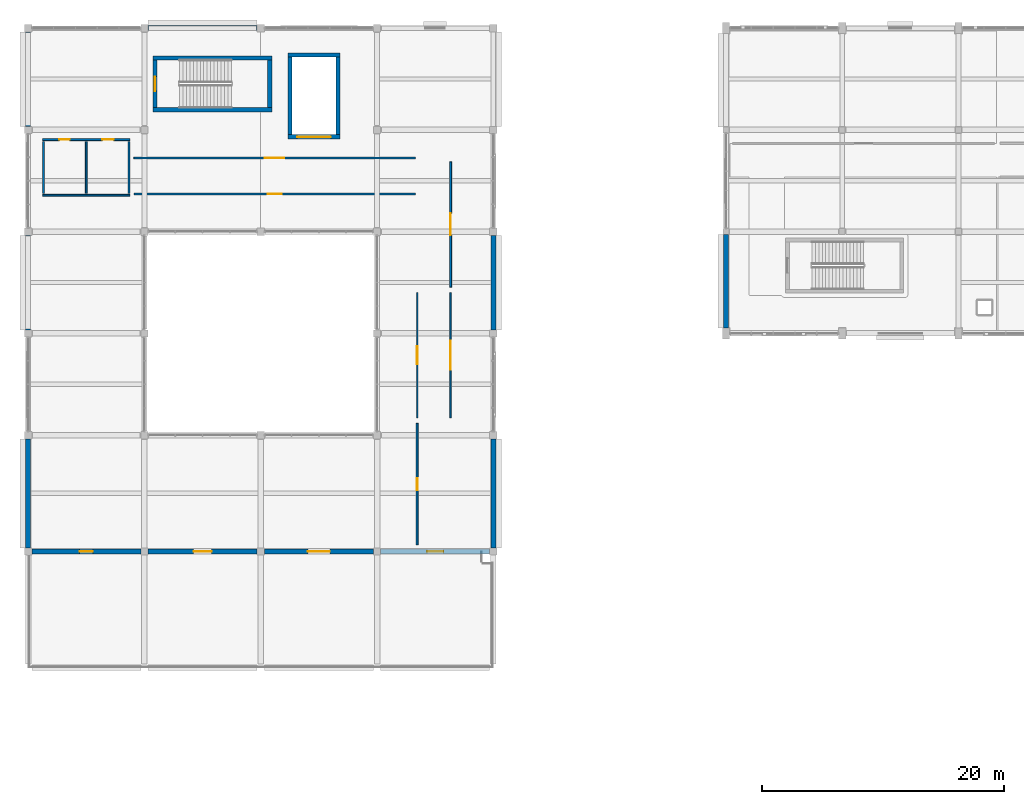
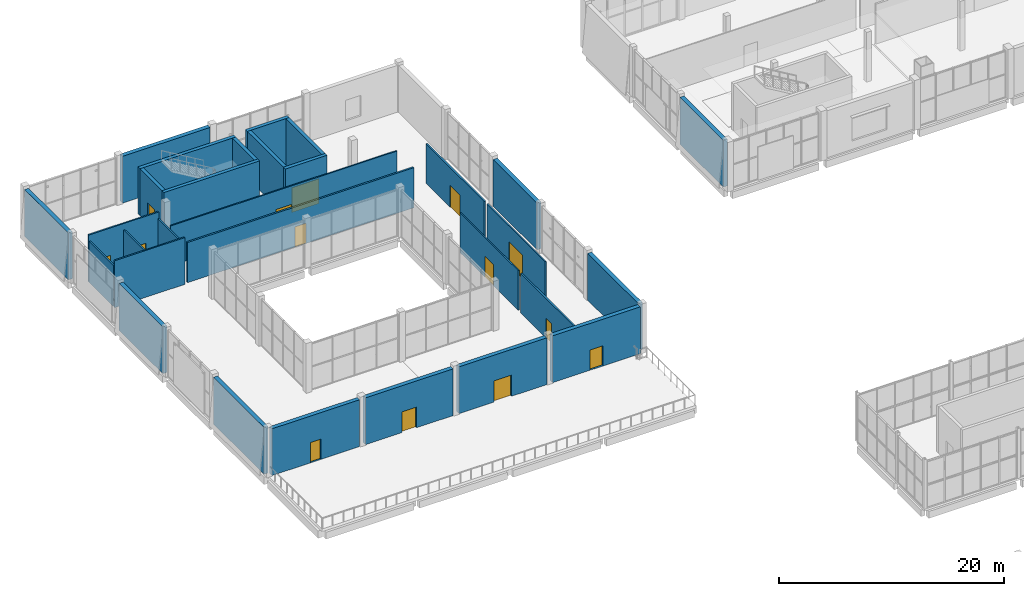
# One storey, part 56 of 83: 30 walls, 14 doors, 14 openings.
"""IFC4 building model written with IfcOpenShell, lengths in metres."""

from ifc_helpers import new_model, si_unit, direction, frame, frame_2d, origin, place, context, subcontext, project, spatial, rectangle, extrude, material, layer, layer_set, type_object, element, fill, save


model = new_model("IFC4")

# Units and contexts
model_context = context("Model", 3, precision=1e-05, world=origin(), true_north=direction((0.0, 1.0)))
body_context = subcontext(model_context, "Body", "Model", "MODEL_VIEW")
ifc_project = project(units=[si_unit("LENGTHUNIT", "METRE"), si_unit("AREAUNIT", "SQUARE_METRE"), si_unit("VOLUMEUNIT", "CUBIC_METRE"), si_unit("PLANEANGLEUNIT", "RADIAN"), si_unit("MASSUNIT", "GRAM", prefix="KILO")], contexts=[model_context])

# Site, building, storey
site_placement = place(None, origin())
site = spatial("IfcSite", under=ifc_project, at=site_placement, CompositionType="ELEMENT")
building_placement = place(site_placement, origin())
building = spatial("IfcBuilding", under=site, at=building_placement, Name="Shalvenor Court Art Gallery", CompositionType="ELEMENT")
storey_placement = place(building_placement, frame((0.0, 0.0, 6.0)))
storey = spatial("IfcBuildingStorey", under=building, at=storey_placement, Name="L01", CompositionType="ELEMENT", Elevation=6.0)

# Walls
ifc_material_1 = material(Name="Concrete C40/50", Category="concrete")
ifc_layer_1 = layer(ifc_material_1, 0.35009765625, Name="Concrete C40/50")
ifc_layer_set_1 = layer_set([ifc_layer_1], Name="Concrete C40/50")
wall_type_1 = type_object("IfcWallType", Name="CW-W1", PredefinedType="SHEAR", material=ifc_layer_set_1)
wall_1_placement = place(storey_placement, frame((10.2880859375, 119.93701171875, 0.0), z_axis=(0.0, 0.0, 1.0), x_axis=(1.0, 0.0, 0.0)))
element("IfcWall", 1, at=wall_1_placement, inside=storey, type_object=wall_type_1, Name="L01 C6 Stair Core Shear Wall N", PredefinedType="SHEAR", context=body_context, shape_type="SweptSolid", body=[
    extrude(rectangle(XDim=9.823974609375, YDim=0.35009765625, at=frame_2d((4.912109375, 0.0))), origin(), (0.0, 0.0, 1.0), 5.080078125),
])
wall_2_placement = place(storey_placement, frame((19.93701171875, 119.761962890625, 0.0), z_axis=(0.0, 0.0, 1.0), x_axis=(0.0, -1.0, 0.0)))
element("IfcWall", 2, at=wall_2_placement, inside=storey, type_object=wall_type_1, Name="L01 C6 Stair Core Shear Wall E", PredefinedType="SHEAR", context=body_context, shape_type="SweptSolid", body=[
    extrude(rectangle(XDim=3.924072265625, YDim=0.35009765625, at=frame_2d((1.9619140625, 0.0))), origin(), (0.0, 0.0, 1.0), 5.080078125),
])
wall_3_placement = place(storey_placement, frame((20.112060546875, 115.6630859375, 0.0), z_axis=(0.0, 0.0, 1.0), x_axis=(-1.0, 0.0, 0.0)))
element("IfcWall", 3, at=wall_3_placement, inside=storey, type_object=wall_type_1, Name="L01 C6 Stair Core Shear Wall S", PredefinedType="SHEAR", context=body_context, shape_type="SweptSolid", body=[
    extrude(rectangle(XDim=9.823974609375, YDim=0.35009765625, at=frame_2d((4.912109375, 0.0))), origin(), (0.0, 0.0, 1.0), 5.080078125),
])

# Wall, opening, door
wall_4_placement = place(storey_placement, frame((10.462890625, 115.837890625, 0.0), z_axis=(0.0, 0.0, 1.0), x_axis=(0.0, 1.0, 0.0)))
wall_4 = element("IfcWall", 4, at=wall_4_placement, inside=storey, type_object=wall_type_1, Name="L01 C6 Stair Core Shear Wall W", PredefinedType="SHEAR", context=body_context, shape_type="SweptSolid", body=[
    extrude(rectangle(XDim=3.924072265625, YDim=0.35009765625, at=frame_2d((1.9619140625, 0.0))), origin(), (0.0, 0.0, 1.0), 5.080078125),
])
opening_1_placement = place(wall_4_placement, frame((1.362060546875, 0.0, 0.0)))
opening_1 = element("IfcOpeningElement", 5, at=opening_1_placement, cuts=wall_4, Name="Opening FD-01", PredefinedType="OPENING", context=body_context, shape_type="SweptSolid", body=[
    extrude(rectangle(XDim=1.199951171875, YDim=2.199951171875, at=frame_2d((0.60009765625, 1.10009765625))), frame((0.0, 0.18505859375, 0.0), z_axis=(0.0, -1.0, 0.0), x_axis=(1.0, 0.0, 0.0)), (0.0, 0.0, 1.0), 0.3701171875),
])
ifc_material_2 = material(Name="Fire-rated steel stair doorset", Category="steel")
door_type_1 = type_object("IfcDoorType", Name="FD-01", OperationType="NOTDEFINED", PredefinedType="DOOR", material=ifc_material_2)
door_1_placement = place(opening_1_placement, origin())
door_1 = element("IfcDoor", 6, at=door_1_placement, inside=storey, type_object=door_type_1, Name="DR-ST-L01-C6 L01 ST-06 Fire Stair Door", OperationType="SINGLE_SWING_LEFT", OverallHeight=2.199951171875, OverallWidth=1.199951171875, PredefinedType="DOOR", context=body_context, shape_type="SweptSolid", body=[
    extrude(rectangle(XDim=1.199951171875, YDim=2.199951171875, at=frame_2d((0.60009765625, 1.10009765625))), frame((0.0, 0.02490234375, 0.0), z_axis=(0.0, -1.0, 0.0), x_axis=(1.0, 0.0, 0.0)), (0.0, 0.0, 1.0), 0.050048828125),
])
fill(opening_1, door_1)

# Walls
wall_5_placement = place(storey_placement, frame((21.449951171875, 120.175048828125, 0.0), z_axis=(0.0, 0.0, 1.0), x_axis=(1.0, 0.0, 0.0)))
element("IfcWall", 7, at=wall_5_placement, inside=storey, type_object=wall_type_1, Name="L01 GL-01 Lift Shaft Wall N", PredefinedType="SHEAR", context=body_context, shape_type="SweptSolid", body=[
    extrude(rectangle(XDim=4.300048828125, YDim=0.35009765625, at=frame_2d((2.14990234375, 0.0))), origin(), (0.0, 0.0, 1.0), 5.080078125),
])
wall_6_placement = place(storey_placement, frame((25.574951171875, 120.0, 0.0), z_axis=(0.0, 0.0, 1.0), x_axis=(0.0, -1.0, 0.0)))
element("IfcWall", 8, at=wall_6_placement, inside=storey, type_object=wall_type_1, Name="L01 GL-01 Lift Shaft Wall E", PredefinedType="SHEAR", context=body_context, shape_type="SweptSolid", body=[
    extrude(rectangle(XDim=6.39990234375, YDim=0.35009765625, at=frame_2d((3.199951171875, 0.0))), origin(), (0.0, 0.0, 1.0), 5.080078125),
])

# Wall, opening, door
wall_7_placement = place(storey_placement, frame((25.75, 113.425048828125, 0.0), z_axis=(0.0, 0.0, 1.0), x_axis=(-1.0, 0.0, 0.0)))
wall_7 = element("IfcWall", 9, at=wall_7_placement, inside=storey, type_object=wall_type_1, Name="L01 GL-01 Lift Shaft Wall S", PredefinedType="SHEAR", context=body_context, shape_type="SweptSolid", body=[
    extrude(rectangle(XDim=4.300048828125, YDim=0.35009765625, at=frame_2d((2.14990234375, 0.0))), origin(), (0.0, 0.0, 1.0), 5.080078125),
])
opening_2_placement = place(wall_7_placement, frame((0.75, 0.0, 0.0)))
opening_2 = element("IfcOpeningElement", 10, at=opening_2_placement, cuts=wall_7, Name="Opening LD-03", PredefinedType="OPENING", context=body_context, shape_type="SweptSolid", body=[
    extrude(rectangle(XDim=2.800048828125, YDim=2.699951171875, at=frame_2d((1.39990234375, 1.35009765625))), frame((0.0, 0.18505859375, 0.0), z_axis=(0.0, -1.0, 0.0), x_axis=(1.0, 0.0, 0.0)), (0.0, 0.0, 1.0), 0.3701171875),
])
ifc_material_3 = material(Name="Heavy-duty clean-art freight lift sliding landing door", Category="steel")
door_type_2 = type_object("IfcDoorType", Name="LD-03", OperationType="NOTDEFINED", PredefinedType="DOOR", material=ifc_material_3)
door_2_placement = place(opening_2_placement, origin())
door_2 = element("IfcDoor", 11, at=door_2_placement, inside=storey, type_object=door_type_2, Name="DR-LD-L01-GL-01 L01 GL-01 Lift Landing Sliding Door", OperationType="DOUBLE_DOOR_SLIDING", OverallHeight=2.699951171875, OverallWidth=2.800048828125, PredefinedType="DOOR", context=body_context, shape_type="SweptSolid", body=[
    extrude(rectangle(XDim=2.800048828125, YDim=2.699951171875, at=frame_2d((1.39990234375, 1.35009765625))), frame((0.0, 0.02490234375, 0.0), z_axis=(0.0, -1.0, 0.0), x_axis=(1.0, 0.0, 0.0)), (0.0, 0.0, 1.0), 0.050048828125),
])
fill(opening_2, door_2)

# Walls
wall_8_placement = place(storey_placement, frame((21.625, 113.60009765625, 0.0), z_axis=(0.0, 0.0, 1.0), x_axis=(0.0, 1.0, 0.0)))
element("IfcWall", 12, at=wall_8_placement, inside=storey, type_object=wall_type_1, Name="L01 GL-01 Lift Shaft Wall W", PredefinedType="SHEAR", context=body_context, shape_type="SweptSolid", body=[
    extrude(rectangle(XDim=6.39990234375, YDim=0.35009765625, at=frame_2d((3.199951171875, 0.0))), origin(), (0.0, 0.0, 1.0), 5.080078125),
])
ifc_material_4 = material(Name="Concrete C40/50", Category="concrete")
ifc_layer_2 = layer(ifc_material_4, 0.419921875, Name="Concrete C40/50")
ifc_layer_set_2 = layer_set([ifc_layer_2], Name="Concrete C40/50")
wall_type_2 = type_object("IfcWallType", Name="EW-02", PredefinedType="SOLIDWALL", material=ifc_layer_set_2)
wall_9_placement = place(storey_placement, frame((57.60009765625, 97.64990234375, 0.0), z_axis=(0.0, 0.0, 1.0), x_axis=(0.0, 1.0, 0.0)))
element("IfcWall", 13, at=wall_9_placement, inside=storey, type_object=wall_type_2, Name="L01 V2 Exterior Wall WL-L01-0140", PredefinedType="SOLIDWALL", context=body_context, shape_type="SweptSolid", body=[
    extrude(rectangle(XDim=7.7001953125, YDim=0.419921875, at=frame_2d((3.85009765625, 0.0))), origin(), (0.0, 0.0, 1.0), 5.080078125),
])
wall_10_placement = place(storey_placement, frame((9.89990234375, 122.39990234375, 0.0), z_axis=(0.0, 0.0, 1.0), x_axis=(1.0, 0.0, 0.0)))
element("IfcWall", 14, at=wall_10_placement, inside=storey, type_object=wall_type_2, Name="L01 V5 Exterior Wall WL-L01-0293", PredefinedType="SOLIDWALL", context=body_context, shape_type="SweptSolid", body=[
    extrude(rectangle(XDim=9.0, YDim=0.419921875, at=frame_2d((4.5, 0.0))), origin(), (0.0, 0.0, 1.0), 5.080078125),
])
wall_11_placement = place(storey_placement, frame((38.39990234375, 105.300048828125, 0.0), z_axis=(0.0, 0.0, 1.0), x_axis=(0.0, -1.0, 0.0)))
element("IfcWall", 15, at=wall_11_placement, inside=storey, type_object=wall_type_2, Name="L01 V5 Exterior Wall WL-L01-0296", PredefinedType="SOLIDWALL", context=body_context, shape_type="SweptSolid", body=[
    extrude(rectangle(XDim=7.800048828125, YDim=0.419921875, at=frame_2d((3.89990234375, 0.0))), origin(), (0.0, 0.0, 1.0), 5.080078125),
])
wall_12_placement = place(storey_placement, frame((38.39990234375, 88.5, 0.0), z_axis=(0.0, 0.0, 1.0), x_axis=(0.0, -1.0, 0.0)))
element("IfcWall", 16, at=wall_12_placement, inside=storey, type_object=wall_type_2, Name="L01 V5 Exterior Wall WL-L01-0297", PredefinedType="SOLIDWALL", context=body_context, shape_type="SweptSolid", body=[
    extrude(rectangle(XDim=9.0, YDim=0.419921875, at=frame_2d((4.5, 0.0))), origin(), (0.0, 0.0, 1.0), 5.080078125),
])

# Wall, opening, door
wall_13_placement = place(storey_placement, frame((38.10009765625, 79.199951171875, 0.0), z_axis=(0.0, 0.0, 1.0), x_axis=(-1.0, 0.0, 0.0)))
wall_13 = element("IfcWall", 17, at=wall_13_placement, inside=storey, type_object=wall_type_2, Name="L01 V5 Exterior Wall WL-L01-0298", PredefinedType="SOLIDWALL", context=body_context, shape_type="SweptSolid", body=[
    extrude(rectangle(XDim=9.0, YDim=0.419921875, at=frame_2d((4.5, 0.0))), origin(), (0.0, 0.0, 1.0), 5.080078125),
])
opening_3_placement = place(wall_13_placement, frame((3.824951171875, 0.0, 0.0)))
opening_3 = element("IfcOpeningElement", 18, at=opening_3_placement, cuts=wall_13, Name="Opening TD-06", PredefinedType="OPENING", context=body_context, shape_type="SweptSolid", body=[
    extrude(rectangle(XDim=1.35009765625, YDim=2.199951171875, at=frame_2d((0.675048828125, 1.10009765625))), frame((0.0, 0.219970703125, 0.0), z_axis=(0.0, -1.0, 0.0), x_axis=(1.0, 0.0, 0.0)), (0.0, 0.0, 1.0), 0.43994140625),
])
ifc_material_5 = material(Name="Anodised aluminium glazed terrace door", Category="aluminium")
door_type_3 = type_object("IfcDoorType", Name="TD-06", OperationType="NOTDEFINED", PredefinedType="DOOR", material=ifc_material_5)
door_3_placement = place(opening_3_placement, origin())
door_3 = element("IfcDoor", 19, at=door_3_placement, inside=storey, type_object=door_type_3, Name="DR-TR-048 L01 Gallery Terrace Door", OperationType="SINGLE_SWING_RIGHT", OverallHeight=2.199951171875, OverallWidth=1.35009765625, PredefinedType="DOOR", context=body_context, shape_type="SweptSolid", body=[
    extrude(rectangle(XDim=1.35009765625, YDim=2.199951171875, at=frame_2d((0.675048828125, 1.10009765625))), frame((0.0, 0.02490234375, 0.0), z_axis=(0.0, -1.0, 0.0), x_axis=(1.0, 0.0, 0.0)), (0.0, 0.0, 1.0), 0.050048828125),
])
fill(opening_3, door_3)

wall_14_placement = place(storey_placement, frame((28.5, 79.199951171875, 0.0), z_axis=(0.0, 0.0, 1.0), x_axis=(-1.0, 0.0, 0.0)))
wall_14 = element("IfcWall", 20, at=wall_14_placement, inside=storey, type_object=wall_type_2, Name="L01 V5 Exterior Wall WL-L01-0299", PredefinedType="SOLIDWALL", context=body_context, shape_type="SweptSolid", body=[
    extrude(rectangle(XDim=9.0, YDim=0.419921875, at=frame_2d((4.5, 0.0))), origin(), (0.0, 0.0, 1.0), 5.080078125),
])
opening_4_placement = place(wall_14_placement, frame((3.60009765625, 0.0, 0.0)))
opening_4 = element("IfcOpeningElement", 21, at=opening_4_placement, cuts=wall_14, Name="Opening TD-01", PredefinedType="OPENING", context=body_context, shape_type="SweptSolid", body=[
    extrude(rectangle(XDim=1.800048828125, YDim=2.300048828125, at=frame_2d((0.89990234375, 1.14990234375))), frame((0.0, 0.219970703125, 0.0), z_axis=(0.0, -1.0, 0.0), x_axis=(1.0, 0.0, 0.0)), (0.0, 0.0, 1.0), 0.43994140625),
])
ifc_material_6 = material(Name="Anodised aluminium glazed terrace door", Category="aluminium")
door_type_4 = type_object("IfcDoorType", Name="TD-01", OperationType="NOTDEFINED", PredefinedType="DOOR", material=ifc_material_6)
door_4_placement = place(opening_4_placement, origin())
door_4 = element("IfcDoor", 22, at=door_4_placement, inside=storey, type_object=door_type_4, Name="DR-TR-049 L01 Gallery Terrace Door", OperationType="DOUBLE_DOOR_SINGLE_SWING", OverallHeight=2.300048828125, OverallWidth=1.800048828125, PredefinedType="DOOR", context=body_context, shape_type="SweptSolid", body=[
    extrude(rectangle(XDim=1.800048828125, YDim=2.300048828125, at=frame_2d((0.89990234375, 1.14990234375))), frame((0.0, 0.02490234375, 0.0), z_axis=(0.0, -1.0, 0.0), x_axis=(1.0, 0.0, 0.0)), (0.0, 0.0, 1.0), 0.050048828125),
])
fill(opening_4, door_4)

wall_15_placement = place(storey_placement, frame((18.89990234375, 79.199951171875, 0.0), z_axis=(0.0, 0.0, 1.0), x_axis=(-1.0, 0.0, 0.0)))
wall_15 = element("IfcWall", 23, at=wall_15_placement, inside=storey, type_object=wall_type_2, Name="L01 V5 Exterior Wall WL-L01-0300", PredefinedType="SOLIDWALL", context=body_context, shape_type="SweptSolid", body=[
    extrude(rectangle(XDim=9.0, YDim=0.419921875, at=frame_2d((4.5, 0.0))), origin(), (0.0, 0.0, 1.0), 5.080078125),
])
opening_5_placement = place(wall_15_placement, frame((3.75, 0.0, 0.0)))
opening_5 = element("IfcOpeningElement", 24, at=opening_5_placement, cuts=wall_15, Name="Opening TD-02", PredefinedType="OPENING", context=body_context, shape_type="SweptSolid", body=[
    extrude(rectangle(XDim=1.5, YDim=2.25, at=frame_2d((0.75, 1.125))), frame((0.0, 0.219970703125, 0.0), z_axis=(0.0, -1.0, 0.0), x_axis=(1.0, 0.0, 0.0)), (0.0, 0.0, 1.0), 0.43994140625),
])
ifc_material_7 = material(Name="Anodised aluminium glazed terrace door", Category="aluminium")
door_type_5 = type_object("IfcDoorType", Name="TD-02", OperationType="NOTDEFINED", PredefinedType="DOOR", material=ifc_material_7)
door_5_placement = place(opening_5_placement, origin())
door_5 = element("IfcDoor", 25, at=door_5_placement, inside=storey, type_object=door_type_5, Name="DR-TR-050 L01 Gallery Terrace Door", OperationType="DOUBLE_DOOR_SINGLE_SWING", OverallHeight=2.25, OverallWidth=1.5, PredefinedType="DOOR", context=body_context, shape_type="SweptSolid", body=[
    extrude(rectangle(XDim=1.5, YDim=2.25, at=frame_2d((0.75, 1.125))), frame((0.0, 0.02490234375, 0.0), z_axis=(0.0, -1.0, 0.0), x_axis=(1.0, 0.0, 0.0)), (0.0, 0.0, 1.0), 0.050048828125),
])
fill(opening_5, door_5)

wall_16_placement = place(storey_placement, frame((9.300048828125, 79.199951171875, 0.0), z_axis=(0.0, 0.0, 1.0), x_axis=(-1.0, 0.0, 0.0)))
wall_16 = element("IfcWall", 26, at=wall_16_placement, inside=storey, type_object=wall_type_2, Name="L01 V5 Exterior Wall WL-L01-0301", PredefinedType="SOLIDWALL", context=body_context, shape_type="SweptSolid", body=[
    extrude(rectangle(XDim=9.0, YDim=0.419921875, at=frame_2d((4.5, 0.0))), origin(), (0.0, 0.0, 1.0), 5.080078125),
])
opening_6_placement = place(wall_16_placement, frame((3.949951171875, 0.0, 0.0)))
opening_6 = element("IfcOpeningElement", 27, at=opening_6_placement, cuts=wall_16, Name="Opening TD-03", PredefinedType="OPENING", context=body_context, shape_type="SweptSolid", body=[
    extrude(rectangle(XDim=1.10009765625, YDim=2.199951171875, at=frame_2d((0.550048828125, 1.10009765625))), frame((0.0, 0.219970703125, 0.0), z_axis=(0.0, -1.0, 0.0), x_axis=(1.0, 0.0, 0.0)), (0.0, 0.0, 1.0), 0.43994140625),
])
ifc_material_8 = material(Name="Anodised aluminium glazed terrace door", Category="aluminium")
door_type_6 = type_object("IfcDoorType", Name="TD-03", OperationType="NOTDEFINED", PredefinedType="DOOR", material=ifc_material_8)
door_6_placement = place(opening_6_placement, origin())
door_6 = element("IfcDoor", 28, at=door_6_placement, inside=storey, type_object=door_type_6, Name="DR-TR-051 L01 Gallery Terrace Door", OperationType="SINGLE_SWING_LEFT", OverallHeight=2.199951171875, OverallWidth=1.10009765625, PredefinedType="DOOR", context=body_context, shape_type="SweptSolid", body=[
    extrude(rectangle(XDim=1.10009765625, YDim=2.199951171875, at=frame_2d((0.550048828125, 1.10009765625))), frame((0.0, 0.02490234375, 0.0), z_axis=(0.0, -1.0, 0.0), x_axis=(1.0, 0.0, 0.0)), (0.0, 0.0, 1.0), 0.050048828125),
])
fill(opening_6, door_6)

# Walls
wall_17_placement = place(storey_placement, frame((0.0, 79.5, 0.0), z_axis=(0.0, 0.0, 1.0), x_axis=(0.0, 1.0, 0.0)))
element("IfcWall", 29, at=wall_17_placement, inside=storey, type_object=wall_type_2, Name="L01 V5 Exterior Wall WL-L01-0302", PredefinedType="SOLIDWALL", context=body_context, shape_type="SweptSolid", body=[
    extrude(rectangle(XDim=9.0, YDim=0.419921875, at=frame_2d((4.5, 0.0))), origin(), (0.0, 0.0, 1.0), 5.080078125),
])
for number, where, z_axis, x_axis, name in (
    (30, (0.0, 97.5, 0.0), (0.0, 0.0, 1.0), (0.0, 1.0, 0.0), "L01 V5 Exterior Wall WL-L01-0303"),
    (31, (0.0, 114.300048828125, 0.0), (0.0, 0.0, 1.0), (0.0, 1.0, 0.0), "L01 V5 Exterior Wall WL-L01-0304"),
):
    element("IfcWall", number, at=place(storey_placement, frame(where, z_axis=z_axis, x_axis=x_axis)), inside=storey, type_object=wall_type_2, Name=name, PredefinedType="SOLIDWALL", context=body_context, shape_type="SweptSolid", body=[
        extrude(rectangle(XDim=7.800048828125, YDim=0.419921875, at=frame_2d((3.89990234375, 0.0))), origin(), (0.0, 0.0, 1.0), 5.080078125),
    ])

# Wall, opening, door
ifc_material_9 = material(Name="Plywood-backed acoustic art-hanging partition", Category="wood")
ifc_layer_3 = layer(ifc_material_9, 0.179931640625, Name="Plywood-backed acoustic art-hanging partition")
ifc_layer_set_3 = layer_set([ifc_layer_3], Name="Plywood-backed acoustic art-hanging partition")
wall_type_3 = type_object("IfcWallType", Name="PT-01", PredefinedType="PARTITIONING", material=ifc_layer_set_3)
wall_18_placement = place(storey_placement, frame((8.72998046875, 108.719970703125, 0.0), z_axis=(0.0, 0.0, 1.0), x_axis=(1.0, 0.0, 0.0)))
wall_18 = element("IfcWall", 32, at=wall_18_placement, inside=storey, type_object=wall_type_3, Name="L01 Education Seminar Room Partition 637", PredefinedType="PARTITIONING", context=body_context, shape_type="SweptSolid", body=[
    extrude(rectangle(XDim=23.239990234375, YDim=0.179931640625, at=frame_2d((11.6201171875, 0.0))), origin(), (0.0, 0.0, 1.0), 4.35498046875),
])
opening_7_placement = place(wall_18_placement, frame((11.044921875, 0.0, 0.0)))
opening_7 = element("IfcOpeningElement", 33, at=opening_7_placement, cuts=wall_18, Name="Opening ID-10", PredefinedType="OPENING", context=body_context, shape_type="SweptSolid", body=[
    extrude(rectangle(XDim=1.14990234375, YDim=2.199951171875, at=frame_2d((0.574951171875, 1.10009765625))), frame((0.0, 0.099853515625, 0.0), z_axis=(0.0, -1.0, 0.0), x_axis=(1.0, 0.0, 0.0)), (0.0, 0.0, 1.0), 0.199951171875),
])
ifc_material_10 = material(Name="Acoustic conservation lab single doorset", Category="steel")
door_type_7 = type_object("IfcDoorType", Name="ID-10", OperationType="NOTDEFINED", PredefinedType="DOOR", material=ifc_material_10)
door_7_placement = place(opening_7_placement, origin())
door_7 = element("IfcDoor", 34, at=door_7_placement, inside=storey, type_object=door_type_7, Name="DR-RM-L01-0168 L01 Education Seminar Room Door", OperationType="SINGLE_SWING_LEFT", OverallHeight=2.199951171875, OverallWidth=1.14990234375, PredefinedType="DOOR", context=body_context, shape_type="SweptSolid", body=[
    extrude(rectangle(XDim=1.14990234375, YDim=2.199951171875, at=frame_2d((0.574951171875, 1.10009765625))), frame((0.0, 0.02490234375, 0.0), z_axis=(0.0, -1.0, 0.0), x_axis=(1.0, 0.0, 0.0)), (0.0, 0.0, 1.0), 0.050048828125),
])
fill(opening_7, door_7)

ifc_material_11 = material(Name="Double-stud acoustic gallery partition", Category="other")
ifc_layer_4 = layer(ifc_material_11, 0.1650390625, Name="Double-stud acoustic gallery partition")
ifc_layer_set_4 = layer_set([ifc_layer_4], Name="Double-stud acoustic gallery partition")
wall_type_4 = type_object("IfcWallType", Name="PT-02", PredefinedType="PARTITIONING", material=ifc_layer_set_4)
wall_19_placement = place(storey_placement, frame((32.1201171875, 89.77001953125, 0.0), z_axis=(0.0, 0.0, 1.0), x_axis=(0.0, -1.0, 0.0)))
wall_19 = element("IfcWall", 35, at=wall_19_placement, inside=storey, type_object=wall_type_4, Name="L01 Painting Conservation Laboratory Partition 634", PredefinedType="PARTITIONING", context=body_context, shape_type="SweptSolid", body=[
    extrude(rectangle(XDim=10.02001953125, YDim=0.1650390625, at=frame_2d((5.010009765625, 0.0))), origin(), (0.0, 0.0, 1.0), 4.304931640625),
])
opening_8_placement = place(wall_19_placement, frame((4.510009765625, 0.0, 0.0)))
opening_8 = element("IfcOpeningElement", 36, at=opening_8_placement, cuts=wall_19, Name="Opening ID-05", PredefinedType="OPENING", context=body_context, shape_type="SweptSolid", body=[
    extrude(rectangle(XDim=1.0, YDim=2.14990234375, at=frame_2d((0.5, 1.074951171875))), frame((0.0, 0.092529296875, 0.0), z_axis=(0.0, -1.0, 0.0), x_axis=(1.0, 0.0, 0.0)), (0.0, 0.0, 1.0), 0.18505859375),
])
ifc_material_12 = material(Name="Timber office single doorset", Category="wood")
door_type_8 = type_object("IfcDoorType", Name="ID-05", OperationType="NOTDEFINED", PredefinedType="DOOR", material=ifc_material_12)
door_8_placement = place(opening_8_placement, origin())
door_8 = element("IfcDoor", 37, at=door_8_placement, inside=storey, type_object=door_type_8, Name="DR-RM-L01-0165 L01 Painting Conservation Laboratory Door", OperationType="SINGLE_SWING_RIGHT", OverallHeight=2.14990234375, OverallWidth=1.0, PredefinedType="DOOR", context=body_context, shape_type="SweptSolid", body=[
    extrude(rectangle(XDim=1.0, YDim=2.14990234375, at=frame_2d((0.5, 1.074951171875))), frame((0.0, 0.02490234375, 0.0), z_axis=(0.0, -1.0, 0.0), x_axis=(1.0, 0.0, 0.0)), (0.0, 0.0, 1.0), 0.050048828125),
])
fill(opening_8, door_8)

wall_20_placement = place(storey_placement, frame((34.8798828125, 101.030029296875, 0.0), z_axis=(0.0, 0.0, 1.0), x_axis=(0.0, 1.0, 0.0)))
wall_20 = element("IfcWall", 38, at=wall_20_placement, inside=storey, type_object=wall_type_4, Name="L01 Education Seminar Room Wing B Partition 638", PredefinedType="PARTITIONING", context=body_context, shape_type="SweptSolid", body=[
    extrude(rectangle(XDim=10.340087890625, YDim=0.1650390625, at=frame_2d((5.169921875, 0.0))), origin(), (0.0, 0.0, 1.0), 4.304931640625),
])
opening_9_placement = place(wall_20_placement, frame((4.27001953125, 0.0, 0.0)))
opening_9 = element("IfcOpeningElement", 39, at=opening_9_placement, cuts=wall_20, Name="Opening ID-01", PredefinedType="OPENING", context=body_context, shape_type="SweptSolid", body=[
    extrude(rectangle(XDim=1.800048828125, YDim=2.39990234375, at=frame_2d((0.89990234375, 1.199951171875))), frame((0.0, 0.092529296875, 0.0), z_axis=(0.0, -1.0, 0.0), x_axis=(1.0, 0.0, 0.0)), (0.0, 0.0, 1.0), 0.18505859375),
])
ifc_material_13 = material(Name="Oak-veneered acoustic gallery double doorset", Category="wood")
door_type_9 = type_object("IfcDoorType", Name="ID-01", OperationType="NOTDEFINED", PredefinedType="DOOR", material=ifc_material_13)
door_9_placement = place(opening_9_placement, origin())
door_9 = element("IfcDoor", 40, at=door_9_placement, inside=storey, type_object=door_type_9, Name="DR-RM-L01-0169 L01 Education Seminar Room Wing B Door", OperationType="DOUBLE_DOOR_SINGLE_SWING", OverallHeight=2.39990234375, OverallWidth=1.800048828125, PredefinedType="DOOR", context=body_context, shape_type="SweptSolid", body=[
    extrude(rectangle(XDim=1.800048828125, YDim=2.39990234375, at=frame_2d((0.89990234375, 1.199951171875))), frame((0.0, 0.02490234375, 0.0), z_axis=(0.0, -1.0, 0.0), x_axis=(1.0, 0.0, 0.0)), (0.0, 0.0, 1.0), 0.050048828125),
])
fill(opening_9, door_9)

# Wall, openings, doors
ifc_material_14 = material(Name="Moisture-resistant sanitary partition", Category="other")
ifc_layer_5 = layer(ifc_material_14, 0.14990234375, Name="Moisture-resistant sanitary partition")
ifc_layer_set_5 = layer_set([ifc_layer_5], Name="Moisture-resistant sanitary partition")
wall_type_5 = type_object("IfcWallType", Name="PT-03", PredefinedType="PARTITIONING", material=ifc_layer_set_5)
wall_21_placement = place(storey_placement, frame((1.199951171875, 113.199951171875, 0.0), z_axis=(0.0, 0.0, 1.0), x_axis=(1.0, 0.0, 0.0)))
wall_21 = element("IfcWall", 41, at=wall_21_placement, inside=storey, type_object=wall_type_5, Name="L01 C6 Restroom Front Partition", PredefinedType="PARTITIONING", context=body_context, shape_type="SweptSolid", body=[
    extrude(rectangle(XDim=7.199951171875, YDim=0.14990234375, at=frame_2d((3.60009765625, 0.0))), origin(), (0.0, 0.0, 1.0), 5.080078125),
])
opening_10_placement = place(wall_21_placement, frame((1.35009765625, 0.0, 0.0)))
opening_10 = element("IfcOpeningElement", 42, at=opening_10_placement, cuts=wall_21, Name="Opening ID-07", PredefinedType="OPENING", context=body_context, shape_type="SweptSolid", body=[
    extrude(rectangle(XDim=0.89990234375, YDim=2.10009765625, at=frame_2d((0.449951171875, 1.050048828125))), frame((0.0, 0.0849609375, 0.0), z_axis=(0.0, -1.0, 0.0), x_axis=(1.0, 0.0, 0.0)), (0.0, 0.0, 1.0), 0.169921875),
])
opening_11_placement = place(wall_21_placement, frame((4.925048828125, 0.0, 0.0)))
opening_11 = element("IfcOpeningElement", 43, at=opening_11_placement, cuts=wall_21, Name="Opening ID-06", PredefinedType="OPENING", context=body_context, shape_type="SweptSolid", body=[
    extrude(rectangle(XDim=0.949951171875, YDim=2.14990234375, at=frame_2d((0.47509765625, 1.074951171875))), frame((0.0, 0.0849609375, 0.0), z_axis=(0.0, -1.0, 0.0), x_axis=(1.0, 0.0, 0.0)), (0.0, 0.0, 1.0), 0.169921875),
])
ifc_material_15 = material(Name="Accessible restroom doorset", Category="steel")
door_type_10 = type_object("IfcDoorType", Name="ID-06", OperationType="NOTDEFINED", PredefinedType="DOOR", material=ifc_material_15)
door_10_placement = place(opening_11_placement, origin())
door_10 = element("IfcDoor", 44, at=door_10_placement, inside=storey, type_object=door_type_10, Name="DR-AWC-L01-C6-2 L01 C6 Accessible Restroom Door", OperationType="SINGLE_SWING_LEFT", OverallHeight=2.14990234375, OverallWidth=0.949951171875, PredefinedType="DOOR", context=body_context, shape_type="SweptSolid", body=[
    extrude(rectangle(XDim=0.949951171875, YDim=2.14990234375, at=frame_2d((0.47509765625, 1.074951171875))), frame((0.0, 0.02490234375, 0.0), z_axis=(0.0, -1.0, 0.0), x_axis=(1.0, 0.0, 0.0)), (0.0, 0.0, 1.0), 0.050048828125),
])
fill(opening_11, door_10)
ifc_material_16 = material(Name="Restroom timber doorset", Category="wood")
door_type_11 = type_object("IfcDoorType", Name="ID-07", OperationType="NOTDEFINED", PredefinedType="DOOR", material=ifc_material_16)
door_11_placement = place(opening_10_placement, origin())
door_11 = element("IfcDoor", 45, at=door_11_placement, inside=storey, type_object=door_type_11, Name="DR-WC-L01-C6-1 L01 C6 Public Restroom Door", OperationType="SINGLE_SWING_RIGHT", OverallHeight=2.10009765625, OverallWidth=0.89990234375, PredefinedType="DOOR", context=body_context, shape_type="SweptSolid", body=[
    extrude(rectangle(XDim=0.89990234375, YDim=2.10009765625, at=frame_2d((0.449951171875, 1.050048828125))), frame((0.0, 0.02490234375, 0.0), z_axis=(0.0, -1.0, 0.0), x_axis=(1.0, 0.0, 0.0)), (0.0, 0.0, 1.0), 0.050048828125),
])
fill(opening_10, door_11)

# Walls
wall_22_placement = place(storey_placement, frame((1.199951171875, 108.60009765625, 0.0), z_axis=(0.0, 0.0, 1.0), x_axis=(1.0, 0.0, 0.0)))
element("IfcWall", 46, at=wall_22_placement, inside=storey, type_object=wall_type_5, Name="L01 C6 Restroom Back Partition", PredefinedType="PARTITIONING", context=body_context, shape_type="SweptSolid", body=[
    extrude(rectangle(XDim=7.199951171875, YDim=0.14990234375, at=frame_2d((3.60009765625, 0.0))), origin(), (0.0, 0.0, 1.0), 5.080078125),
])
for number, where, z_axis, x_axis, name in (
    (47, (1.27490234375, 108.760009765625, 0.0), (0.0, 0.0, 1.0), (0.0, 1.0, 0.0), "L01 C6 Restroom Partition L"),
    (48, (4.800048828125, 108.760009765625, 0.0), (0.0, 0.0, 1.0), (0.0, 1.0, 0.0), "L01 C6 Restroom Partition M"),
    (49, (8.324951171875, 108.760009765625, 0.0), (0.0, 0.0, 1.0), (0.0, 1.0, 0.0), "L01 C6 Restroom Partition R"),
):
    element("IfcWall", number, at=place(storey_placement, frame(where, z_axis=z_axis, x_axis=x_axis)), inside=storey, type_object=wall_type_5, Name=name, PredefinedType="PARTITIONING", context=body_context, shape_type="SweptSolid", body=[
        extrude(rectangle(XDim=4.280029296875, YDim=0.14990234375, at=frame_2d((2.14013671875, 0.0))), origin(), (0.0, 0.0, 1.0), 4.455078125),
    ])

# Wall, opening, door
ifc_material_17 = material(Name="Insulated studio acoustic partition", Category="other")
ifc_layer_6 = layer(ifc_material_17, 0.135009765625, Name="Insulated studio acoustic partition")
ifc_layer_set_6 = layer_set([ifc_layer_6], Name="Insulated studio acoustic partition")
wall_type_6 = type_object("IfcWallType", Name="PT-04", PredefinedType="PARTITIONING", material=ifc_layer_set_6)
wall_23_placement = place(storey_placement, frame((34.8798828125, 90.22998046875, 0.0), z_axis=(0.0, 0.0, 1.0), x_axis=(0.0, 1.0, 0.0)))
wall_23 = element("IfcWall", 50, at=wall_23_placement, inside=storey, type_object=wall_type_6, Name="L01 Object Restoration Laboratory Partition 635", PredefinedType="PARTITIONING", context=body_context, shape_type="SweptSolid", body=[
    extrude(rectangle(XDim=10.340087890625, YDim=0.135009765625, at=frame_2d((5.169921875, 0.0))), origin(), (0.0, 0.0, 1.0), 4.304931640625),
])
opening_12_placement = place(wall_23_placement, frame((3.969970703125, 0.0, 0.0)))
opening_12 = element("IfcOpeningElement", 51, at=opening_12_placement, cuts=wall_23, Name="Opening ID-08", PredefinedType="OPENING", context=body_context, shape_type="SweptSolid", body=[
    extrude(rectangle(XDim=2.39990234375, YDim=2.60009765625, at=frame_2d((1.199951171875, 1.300048828125))), frame((0.0, 0.077392578125, 0.0), z_axis=(0.0, -1.0, 0.0), x_axis=(1.0, 0.0, 0.0)), (0.0, 0.0, 1.0), 0.155029296875),
])
ifc_material_18 = material(Name="Oversized crate gallery portal double doorset", Category="steel")
door_type_12 = type_object("IfcDoorType", Name="ID-08", OperationType="NOTDEFINED", PredefinedType="DOOR", material=ifc_material_18)
door_12_placement = place(opening_12_placement, origin())
door_12 = element("IfcDoor", 52, at=door_12_placement, inside=storey, type_object=door_type_12, Name="DR-RM-L01-0166 L01 Object Restoration Laboratory Door", OperationType="DOUBLE_DOOR_SINGLE_SWING", OverallHeight=2.60009765625, OverallWidth=2.39990234375, PredefinedType="DOOR", context=body_context, shape_type="SweptSolid", body=[
    extrude(rectangle(XDim=2.39990234375, YDim=2.60009765625, at=frame_2d((1.199951171875, 1.300048828125))), frame((0.0, 0.02490234375, 0.0), z_axis=(0.0, -1.0, 0.0), x_axis=(1.0, 0.0, 0.0)), (0.0, 0.0, 1.0), 0.050048828125),
])
fill(opening_12, door_12)

wall_24_placement = place(storey_placement, frame((31.969970703125, 111.679931640625, 0.0), z_axis=(0.0, 0.0, 1.0), x_axis=(-1.0, 0.0, 0.0)))
wall_24 = element("IfcWall", 53, at=wall_24_placement, inside=storey, type_object=wall_type_6, Name="L01 Education Art Workshop Partition 639", PredefinedType="PARTITIONING", context=body_context, shape_type="SweptSolid", body=[
    extrude(rectangle(XDim=23.239990234375, YDim=0.135009765625, at=frame_2d((11.6201171875, 0.0))), origin(), (0.0, 0.0, 1.0), 4.35498046875),
])
opening_13_placement = place(wall_24_placement, frame((10.820068359375, 0.0, 0.0)))
opening_13 = element("IfcOpeningElement", 54, at=opening_13_placement, cuts=wall_24, Name="Opening ID-02", PredefinedType="OPENING", context=body_context, shape_type="SweptSolid", body=[
    extrude(rectangle(XDim=1.60009765625, YDim=2.35009765625, at=frame_2d((0.800048828125, 1.175048828125))), frame((0.0, 0.077392578125, 0.0), z_axis=(0.0, -1.0, 0.0), x_axis=(1.0, 0.0, 0.0)), (0.0, 0.0, 1.0), 0.155029296875),
])
ifc_material_19 = material(Name="Oak-veneered gallery double doorset", Category="wood")
door_type_13 = type_object("IfcDoorType", Name="ID-02", OperationType="NOTDEFINED", PredefinedType="DOOR", material=ifc_material_19)
door_13_placement = place(opening_13_placement, origin())
door_13 = element("IfcDoor", 55, at=door_13_placement, inside=storey, type_object=door_type_13, Name="DR-RM-L01-0170 L01 Education Art Workshop Door", OperationType="DOUBLE_DOOR_SINGLE_SWING", OverallHeight=2.35009765625, OverallWidth=1.60009765625, PredefinedType="DOOR", context=body_context, shape_type="SweptSolid", body=[
    extrude(rectangle(XDim=1.60009765625, YDim=2.35009765625, at=frame_2d((0.800048828125, 1.175048828125))), frame((0.0, 0.02490234375, 0.0), z_axis=(0.0, -1.0, 0.0), x_axis=(1.0, 0.0, 0.0)), (0.0, 0.0, 1.0), 0.050048828125),
])
fill(opening_13, door_13)

ifc_material_20 = material(Name="Lightweight office gypsum partition", Category="other")
ifc_layer_7 = layer(ifc_material_20, 0.1201171875, Name="Lightweight office gypsum partition")
ifc_layer_set_7 = layer_set([ifc_layer_7], Name="Lightweight office gypsum partition")
wall_type_7 = type_object("IfcWallType", Name="PT-05", PredefinedType="PARTITIONING", material=ifc_layer_set_7)
wall_25_placement = place(storey_placement, frame((32.1201171875, 100.570068359375, 0.0), z_axis=(0.0, 0.0, 1.0), x_axis=(0.0, -1.0, 0.0)))
wall_25 = element("IfcWall", 56, at=wall_25_placement, inside=storey, type_object=wall_type_7, Name="L01 Object Restoration Laboratory Wing B Partition 636", PredefinedType="PARTITIONING", context=body_context, shape_type="SweptSolid", body=[
    extrude(rectangle(XDim=10.340087890625, YDim=0.1201171875, at=frame_2d((5.169921875, 0.0))), origin(), (0.0, 0.0, 1.0), 4.304931640625),
])
opening_14_placement = place(wall_25_placement, frame((4.419921875, 0.0, 0.0)))
opening_14 = element("IfcOpeningElement", 57, at=opening_14_placement, cuts=wall_25, Name="Opening ID-09", PredefinedType="OPENING", context=body_context, shape_type="SweptSolid", body=[
    extrude(rectangle(XDim=1.5, YDim=2.300048828125, at=frame_2d((0.75, 1.14990234375))), frame((0.0, 0.070068359375, 0.0), z_axis=(0.0, -1.0, 0.0), x_axis=(1.0, 0.0, 0.0)), (0.0, 0.0, 1.0), 0.14013671875),
])
ifc_material_21 = material(Name="Oak-veneered seminar double doorset", Category="wood")
door_type_14 = type_object("IfcDoorType", Name="ID-09", OperationType="NOTDEFINED", PredefinedType="DOOR", material=ifc_material_21)
door_14_placement = place(opening_14_placement, origin())
door_14 = element("IfcDoor", 58, at=door_14_placement, inside=storey, type_object=door_type_14, Name="DR-RM-L01-0167 L01 Object Restoration Laboratory Wing B Door", OperationType="DOUBLE_DOOR_SINGLE_SWING", OverallHeight=2.300048828125, OverallWidth=1.5, PredefinedType="DOOR", context=body_context, shape_type="SweptSolid", body=[
    extrude(rectangle(XDim=1.5, YDim=2.300048828125, at=frame_2d((0.75, 1.14990234375))), frame((0.0, 0.02490234375, 0.0), z_axis=(0.0, -1.0, 0.0), x_axis=(1.0, 0.0, 0.0)), (0.0, 0.0, 1.0), 0.050048828125),
])
fill(opening_14, door_14)

save(model, "model.ifc")
